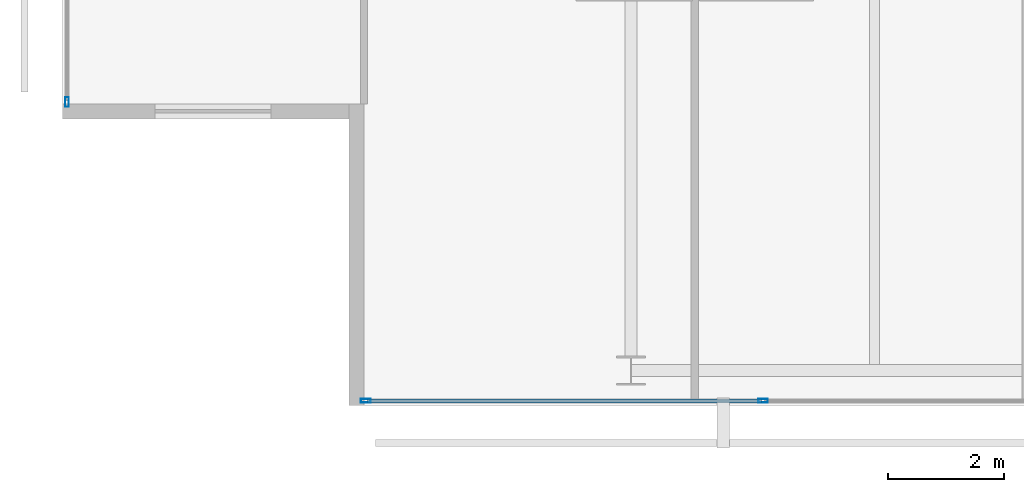
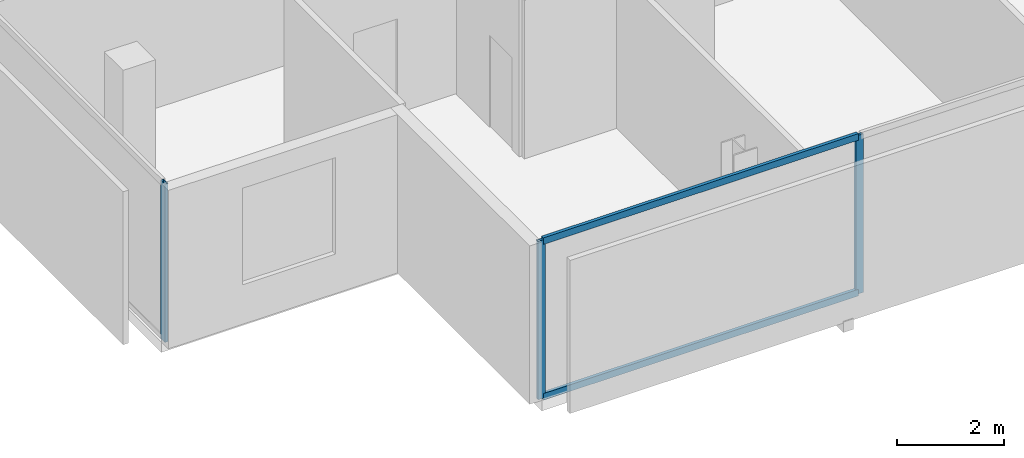
# One storey, part 2 of 25: 5 members, 2 elements without a shape of their own.
"""IFC4 building model written with IfcOpenShell, lengths in metres."""

from ifc_helpers import new_model, si_unit, direction, frame, origin, origin_2d, place, context, subcontext, project, spatial, hollow_rectangle, extrude, material, layer, layer_set, material_profile, profile_set, type_object, element, aggregate, save


model = new_model("IFC4")

# Units and contexts
model_context = context("Model", 3, precision=1e-05, world=origin(), true_north=direction((0.0, 1.0)))
body_context = subcontext(model_context, "Body", "Model", "MODEL_VIEW")
ifc_project = project(units=[si_unit("LENGTHUNIT", "METRE"), si_unit("AREAUNIT", "SQUARE_METRE"), si_unit("VOLUMEUNIT", "CUBIC_METRE"), si_unit("PLANEANGLEUNIT", "RADIAN"), si_unit("MASSUNIT", "GRAM", prefix="KILO")], contexts=[model_context])

# Site, building, storey
site_placement = place(None, origin())
site = spatial("IfcSite", under=ifc_project, at=site_placement, CompositionType="ELEMENT")
building_placement = place(site_placement, origin())
building = spatial("IfcBuilding", under=site, at=building_placement, Name="Maruvema Waterfront Hotel and Observation Tower", CompositionType="ELEMENT")
storey_placement = place(building_placement, frame((0.0, 0.0, 239.39990234375)))
storey = spatial("IfcBuildingStorey", under=building, at=storey_placement, Name="L58", CompositionType="ELEMENT", Elevation=239.39990234375)

# Curtain wall, members
ifc_material_1 = material(Name="Anodised bronze aluminium and solar-control low-E IGU", Category="aluminium")
ifc_layer = layer(ifc_material_1, 0.159912109375, Name="Zone 3 Champagne Inner Thermal Curtain Wall System CW-04")
ifc_layer_set = layer_set([ifc_layer], Name="Anodised bronze aluminium and solar-control low-E IGU")
curtain_wall_type = type_object("IfcCurtainWallType", Name="Zone 3 Champagne Inner Thermal Curtain Wall System CW-04", PredefinedType="USERDEFINED", material=ifc_layer_set)
curtain_wall_1_placement = place(storey_placement, origin())
curtain_wall_1 = element("IfcCurtainWall", 1, at=curtain_wall_1_placement, inside=storey, type_object=curtain_wall_type, Name="L58 Curtain Wall CW-L58-S", ObjectType="UNITISED CURTAIN WALL", PredefinedType="USERDEFINED")
ifc_material_2 = material(Name="Anodised architectural bronze aluminium", Category="aluminium")
ifc_material_profile_1 = material_profile(ifc_material_2, hollow_rectangle(XDim=0.070068359375, YDim=0.14990234375, WallThickness=0.00390625, at=origin_2d()), Name="ALU-T70x150")
ifc_profile_set_1 = profile_set([ifc_material_profile_1], Name="Anodised architectural bronze aluminium")
member_type_1 = type_object("IfcMemberType", Name="Curtain Wall Horizontal Transom ALU-T70x150", PredefinedType="USERDEFINED", material=ifc_profile_set_1)
member_1_placement = place(storey_placement, frame((20.659912109375, 9.280029296875, 0.030029296875), z_axis=(1.0, 0.0, 0.0), x_axis=(0.0, 1.0, 0.0)))
member_1 = element("IfcMember", 2, at=member_1_placement, type_object=member_type_1, Name="CW-04 transom 1.1", ObjectType="TRANSOM", PredefinedType="USERDEFINED", context=body_context, shape_type="SweptSolid", body=[
    extrude(hollow_rectangle(XDim=0.070068359375, YDim=0.14990234375, WallThickness=0.00390625, at=origin_2d()), origin(), (0.0, 0.0, 1.0), 6.7900390625),
])
member_2_placement = place(storey_placement, frame((20.659912109375, 9.280029296875, 3.580078125), z_axis=(1.0, 0.0, 0.0), x_axis=(0.0, 1.0, 0.0)))
member_2 = element("IfcMember", 3, at=member_2_placement, type_object=member_type_1, Name="CW-04 transom 1.2", ObjectType="TRANSOM", PredefinedType="USERDEFINED", context=body_context, shape_type="SweptSolid", body=[
    extrude(hollow_rectangle(XDim=0.070068359375, YDim=0.14990234375, WallThickness=0.00390625, at=origin_2d()), origin(), (0.0, 0.0, 1.0), 6.7900390625),
])
ifc_material_3 = material(Name="Anodised architectural bronze aluminium", Category="aluminium")
ifc_material_profile_2 = material_profile(ifc_material_3, hollow_rectangle(XDim=0.06494140625, YDim=0.1650390625, WallThickness=0.00390625, at=origin_2d()), Name="ALU-M65x165")
ifc_profile_set_2 = profile_set([ifc_material_profile_2], Name="Anodised architectural bronze aluminium")
member_type_2 = type_object("IfcMemberType", Name="Curtain Wall Primary Mullion ALU-M65x165", PredefinedType="MULLION", material=ifc_profile_set_2)
member_3_placement = place(storey_placement, frame((20.6298828125, 9.280029296875, 0.0), z_axis=(0.0, 0.0, 1.0), x_axis=(0.0, 1.0, 0.0)))
member_3 = element("IfcMember", 4, at=member_3_placement, type_object=member_type_2, Name="CW-04 mullion 1", PredefinedType="MULLION", context=body_context, shape_type="SweptSolid", body=[
    extrude(hollow_rectangle(XDim=0.06494140625, YDim=0.1650390625, WallThickness=0.00390625, at=origin_2d()), origin(), (0.0, 0.0, 1.0), 3.610107421875),
])
member_4_placement = place(storey_placement, frame((27.47998046875, 9.280029296875, 0.0), z_axis=(0.0, 0.0, 1.0), x_axis=(0.0, 1.0, 0.0)))
member_4 = element("IfcMember", 5, at=member_4_placement, type_object=member_type_2, Name="CW-04 mullion 2", PredefinedType="MULLION", context=body_context, shape_type="SweptSolid", body=[
    extrude(hollow_rectangle(XDim=0.06494140625, YDim=0.1650390625, WallThickness=0.00390625, at=origin_2d()), origin(), (0.0, 0.0, 1.0), 3.610107421875),
])
aggregate(curtain_wall_1, [member_3, member_4, member_1, member_2])

# Curtain wall, member
curtain_wall_2_placement = place(storey_placement, origin())
curtain_wall_2 = element("IfcCurtainWall", 6, at=curtain_wall_2_placement, inside=storey, type_object=curtain_wall_type, Name="L58 Curtain Wall CW-L58-W", ObjectType="UNITISED CURTAIN WALL", PredefinedType="USERDEFINED")
member_5_placement = place(storey_placement, frame((15.47998046875, 14.429931640625, 0.0), z_axis=(0.0, 0.0, 1.0), x_axis=(1.0, 0.0, 0.0)))
member_5 = element("IfcMember", 7, at=member_5_placement, type_object=member_type_2, Name="CW-04 mullion 6", PredefinedType="MULLION", context=body_context, shape_type="SweptSolid", body=[
    extrude(hollow_rectangle(XDim=0.06494140625, YDim=0.1650390625, WallThickness=0.00390625, at=origin_2d()), origin(), (0.0, 0.0, 1.0), 3.610107421875),
])
aggregate(curtain_wall_2, [member_5])

save(model, "model.ifc")
